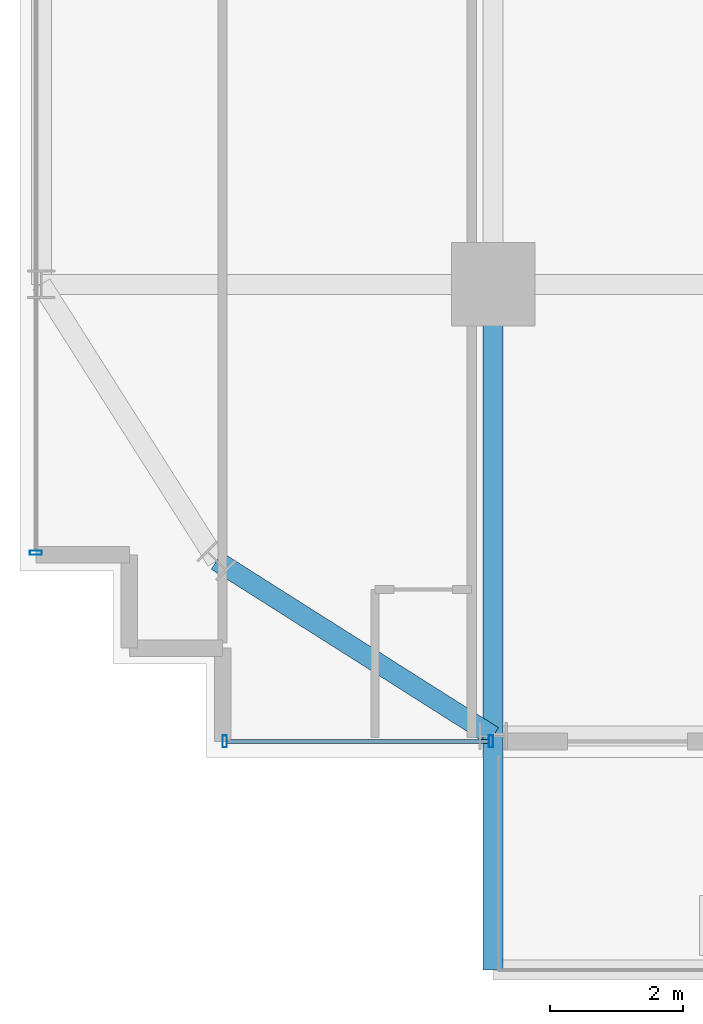
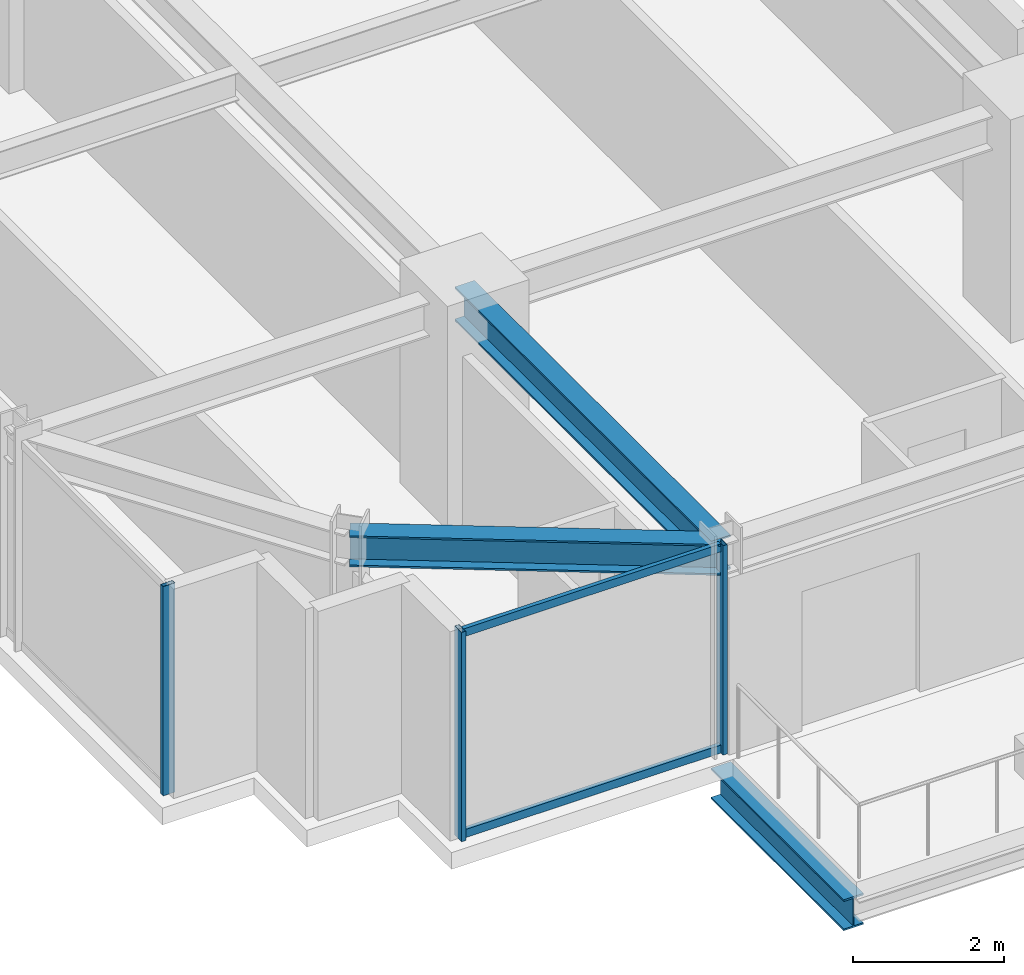
# One storey, part 2 of 33: 5 members, 3 beams, 2 elements without a shape of their own.
"""IFC4 building model written with IfcOpenShell, lengths in metres."""

from ifc_helpers import new_model, si_unit, direction, frame, origin, origin_2d, place, context, subcontext, project, spatial, hollow_rectangle, i_section, extrude, source, transform, mapped, material, material_profile, profile_set, type_object, element, aggregate, save


model = new_model("IFC4")

# Units and contexts
model_context = context("Model", 3, precision=1e-05, world=origin(), true_north=direction((0.0, 1.0)))
body_context = subcontext(model_context, "Body", "Model", "MODEL_VIEW")
ifc_project = project(units=[si_unit("LENGTHUNIT", "METRE"), si_unit("AREAUNIT", "SQUARE_METRE"), si_unit("VOLUMEUNIT", "CUBIC_METRE"), si_unit("PLANEANGLEUNIT", "RADIAN"), si_unit("MASSUNIT", "GRAM", prefix="KILO")], contexts=[model_context])

# Site, building, storey
site_placement = place(None, origin())
site = spatial("IfcSite", under=ifc_project, at=site_placement, CompositionType="ELEMENT")
building_placement = place(site_placement, origin())
building = spatial("IfcBuilding", under=site, at=building_placement, Name="Nahalor Promenade Grand Hotel", CompositionType="ELEMENT")
storey_placement = place(building_placement, frame((0.0, 0.0, 132.10009765625)))
storey = spatial("IfcBuildingStorey", under=building, at=storey_placement, Name="L33", CompositionType="ELEMENT", Elevation=132.10009765625)

# Beams
ifc_material_1 = material(Name="Steel S355JR", Category="steel")
ifc_material_profile_1 = material_profile(ifc_material_1, i_section(OverallWidth=0.3, OverallDepth=0.5, WebThickness=0.0145, FlangeThickness=0.028, at=origin_2d()), Name="HEB 500")
ifc_profile_set_1 = profile_set([ifc_material_profile_1], Name="Steel S355JR")
beam_type_1 = type_object("IfcBeamType", Name="Beam-Outrigger-HEB500", PredefinedType="BEAM", material=ifc_profile_set_1)
shared_shape_1 = source(origin(), body_context, "Body", "SweptSolid", [
    extrude(i_section(OverallWidth=0.3, OverallDepth=0.5, WebThickness=0.0145, FlangeThickness=0.028, at=origin_2d()), origin(), (0.0, 0.0, 1.0), 3.510009765625),
])
beam_1_placement = place(storey_placement, frame((-17.0, -27.2900390625, -0.530029296875), z_axis=(0.0, 1.0, 0.0), x_axis=(-1.0, 0.0, 0.0)))
element("IfcBeam", 1, at=beam_1_placement, inside=storey, type_object=beam_type_1, Name="BM-L33-BC-01-1", PredefinedType="BEAM", context=body_context, shape_type="MappedRepresentation", body=[
    mapped(shared_shape_1, transform((0.0, 0.0, 0.0), scale=1.0)),
])
ifc_material_profile_2 = material_profile(ifc_material_1, i_section(OverallWidth=0.3, OverallDepth=0.5, WebThickness=0.0145, FlangeThickness=0.028, at=origin_2d()), Name="HEB 500")
ifc_profile_set_2 = profile_set([ifc_material_profile_2], Name="Steel S355JR")
beam_type_2 = type_object("IfcBeamType", Name="Beam-Spandrel-HEB500", PredefinedType="SPANDREL", material=ifc_profile_set_2)
shared_shape_2 = source(origin(), body_context, "Body", "SweptSolid", [
    extrude(i_section(OverallWidth=0.3, OverallDepth=0.5, WebThickness=0.0145, FlangeThickness=0.028, at=origin_2d()), origin(), (0.0, 0.0, 1.0), 4.9130859375),
])
beam_2_placement = place(storey_placement, frame((-17.0, -23.780029296875, 3.1298828125), z_axis=(-0.844648325505, 0.535321591403, 0.0), x_axis=(-0.535321591403, -0.844648325505, 0.0)))
element("IfcBeam", 2, at=beam_2_placement, inside=storey, type_object=beam_type_2, Name="BM-L33-SPC-SW-1", PredefinedType="SPANDREL", context=body_context, shape_type="MappedRepresentation", body=[
    mapped(shared_shape_2, transform((0.0, 0.0, 0.0), scale=1.0)),
])
ifc_material_profile_3 = material_profile(ifc_material_1, i_section(OverallWidth=0.3, OverallDepth=0.55, WebThickness=0.015, FlangeThickness=0.029, at=origin_2d()), Name="HEB 550")
ifc_profile_set_3 = profile_set([ifc_material_profile_3], Name="Steel S355JR")
beam_type_3 = type_object("IfcBeamType", Name="Beam-Girder-HEB550", PredefinedType="BEAM", material=ifc_profile_set_3)
shared_shape_3 = source(origin(), body_context, "Body", "SweptSolid", [
    extrude(i_section(OverallWidth=0.3, OverallDepth=0.55, WebThickness=0.015, FlangeThickness=0.029, at=origin_2d()), origin(), (0.0, 0.0, 1.0), 6.780029296875),
])
beam_3_placement = place(storey_placement, frame((-17.0, -23.780029296875, 3.10498046875), z_axis=(0.0, 1.0, 0.0), x_axis=(-1.0, 0.0, 0.0)))
element("IfcBeam", 3, at=beam_3_placement, inside=storey, type_object=beam_type_3, Name="BM-L33-GY-0-0", PredefinedType="BEAM", context=body_context, shape_type="MappedRepresentation", body=[
    mapped(shared_shape_3, transform((0.0, 0.0, 0.0), scale=1.0)),
])

# Curtain wall, members
ifc_material_2 = material(Name="Anodised Bronze Aluminium EN AW-6063 T6", Category="aluminium")
curtain_wall_type = type_object("IfcCurtainWallType", Name="CW2 Typical Hotel Flush Bronze Unitised Curtain Wall", PredefinedType="USERDEFINED", material=ifc_material_2)
curtain_wall_1_placement = place(storey_placement, origin())
curtain_wall_1 = element("IfcCurtainWall", 4, at=curtain_wall_1_placement, inside=storey, type_object=curtain_wall_type, Name="L33 Curtain Wall CW-L33-S-1", ObjectType="UNITISED_CURTAIN_WALL", PredefinedType="USERDEFINED")
ifc_material_profile_4 = material_profile(ifc_material_2, hollow_rectangle(XDim=0.065, YDim=0.18, WallThickness=0.004, at=origin_2d()), Name="CWM 65x180x4")
ifc_profile_set_4 = profile_set([ifc_material_profile_4], Name="Anodised Bronze Aluminium EN AW-6063 T6")
member_type_1 = type_object("IfcMemberType", Name="CWM2 Typical Bronze Mullion 65x180", PredefinedType="MULLION", material=ifc_profile_set_4)
shared_shape_4 = source(origin(), body_context, "Body", "SweptSolid", [
    extrude(hollow_rectangle(XDim=0.065, YDim=0.18, WallThickness=0.004, at=origin_2d()), origin(), (0.0, 0.0, 1.0), 3.3798828125),
])
member_1_placement = place(storey_placement, frame((-21.027587890625, -23.860107421875, 0.0), z_axis=(0.0, 0.0, 1.0), x_axis=(1.0, 0.0, 0.0)))
member_1 = element("IfcMember", 5, at=member_1_placement, type_object=member_type_1, Name="CW-L33-S-1 Mullion 0", PredefinedType="MULLION", context=body_context, shape_type="MappedRepresentation", body=[
    mapped(shared_shape_4, transform((0.0, 0.0, 0.0), scale=1.0)),
])
member_2_placement = place(storey_placement, frame((-17.032470703125, -23.860107421875, 0.0), z_axis=(0.0, 0.0, 1.0), x_axis=(1.0, 0.0, 0.0)))
member_2 = element("IfcMember", 6, at=member_2_placement, type_object=member_type_1, Name="CW-L33-S-1 Mullion 1", PredefinedType="MULLION", context=body_context, shape_type="MappedRepresentation", body=[
    mapped(shared_shape_4, transform((0.0, 0.0, 0.0), scale=1.0)),
])

# Curtain wall, member
curtain_wall_2_placement = place(storey_placement, origin())
curtain_wall_2 = element("IfcCurtainWall", 7, at=curtain_wall_2_placement, inside=storey, type_object=curtain_wall_type, Name="L33 Curtain Wall CW-L33-W-1", ObjectType="UNITISED_CURTAIN_WALL", PredefinedType="USERDEFINED")
member_3_placement = place(storey_placement, frame((-23.860107421875, -21.027587890625, 0.0), z_axis=(0.0, 0.0, 1.0), x_axis=(0.0, 1.0, 0.0)))
member_3 = element("IfcMember", 8, at=member_3_placement, type_object=member_type_1, Name="CW-L33-W-1 Mullion 0", PredefinedType="MULLION", context=body_context, shape_type="MappedRepresentation", body=[
    mapped(shared_shape_4, transform((0.0, 0.0, 0.0), scale=1.0)),
])
aggregate(curtain_wall_2, [member_3])

# Member
ifc_material_profile_5 = material_profile(ifc_material_2, hollow_rectangle(XDim=0.065, YDim=0.13, WallThickness=0.004, at=origin_2d()), Name="CWT 65x130x4")
ifc_profile_set_5 = profile_set([ifc_material_profile_5], Name="Anodised Bronze Aluminium EN AW-6063 T6")
member_type_2 = type_object("IfcMemberType", Name="CWT2 Typical Bronze Transom 65x130", PredefinedType="USERDEFINED", material=ifc_profile_set_5)
shared_shape_5 = source(origin(), body_context, "Body", "SweptSolid", [
    extrude(hollow_rectangle(XDim=0.065, YDim=0.13, WallThickness=0.004, at=origin_2d()), origin(), (0.0, 0.0, 1.0), 3.93017578125),
])
member_4_placement = place(storey_placement, frame((-20.9951171875, -23.860107421875, 0.06494140625), z_axis=(1.0, 0.0, 0.0), x_axis=(0.0, 1.0, 0.0)))
member_4 = element("IfcMember", 9, at=member_4_placement, type_object=member_type_2, Name="CW-L33-S-1 Transom 0-0", ObjectType="TRANSOM", PredefinedType="USERDEFINED", context=body_context, shape_type="MappedRepresentation", body=[
    mapped(shared_shape_5, transform((0.0, 0.0, 0.0), scale=1.0)),
])

member_5_placement = place(storey_placement, frame((-20.9951171875, -23.860107421875, 3.31494140625), z_axis=(1.0, 0.0, 0.0), x_axis=(0.0, 1.0, 0.0)))
member_5 = element("IfcMember", 10, at=member_5_placement, type_object=member_type_2, Name="CW-L33-S-1 Transom 0-1", ObjectType="TRANSOM", PredefinedType="USERDEFINED", context=body_context, shape_type="MappedRepresentation", body=[
    mapped(shared_shape_5, transform((0.0, 0.0, 0.0), scale=1.0)),
])

aggregate(curtain_wall_1, [member_1, member_2, member_4, member_5])

save(model, "model.ifc")
